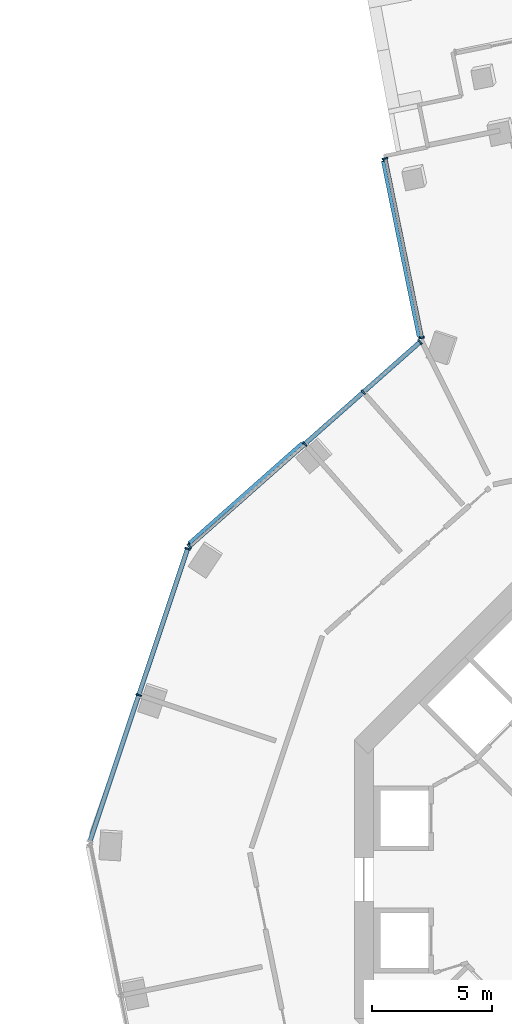
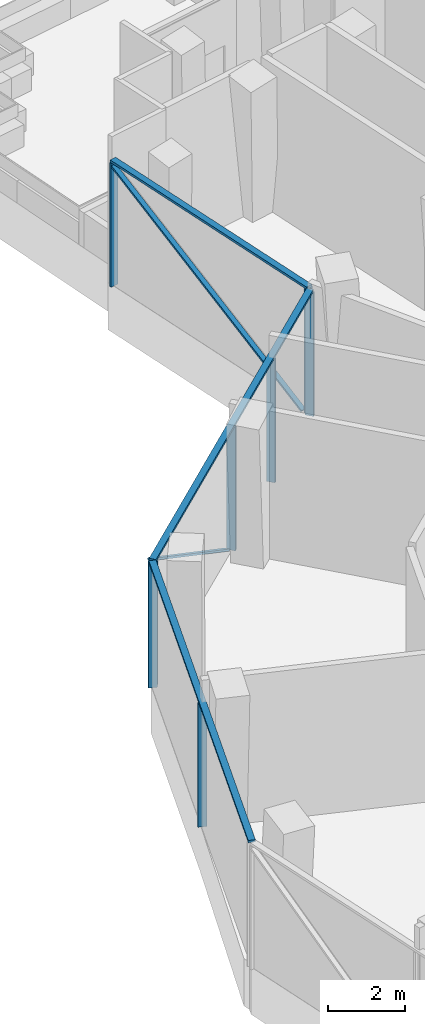
# One storey, part 4 of 20: 13 members, 3 elements without a shape of their own.
"""IFC4 building model written with IfcOpenShell, lengths in metres."""

from ifc_helpers import new_model, si_unit, direction, frame, origin, origin_2d, place, context, subcontext, project, spatial, rectangle, extrude, material, layer, layer_set, material_profile, profile_set, type_object, element, aggregate, save


model = new_model("IFC4")

# Units and contexts
model_context = context("Model", 3, precision=1e-05, world=origin(), true_north=direction((0.0, 1.0)))
body_context = subcontext(model_context, "Body", "Model", "MODEL_VIEW")
ifc_project = project(units=[si_unit("LENGTHUNIT", "METRE"), si_unit("AREAUNIT", "SQUARE_METRE"), si_unit("VOLUMEUNIT", "CUBIC_METRE"), si_unit("PLANEANGLEUNIT", "RADIAN"), si_unit("MASSUNIT", "GRAM", prefix="KILO")], contexts=[model_context])

# Site, building, storey
site_placement = place(None, origin())
site = spatial("IfcSite", under=ifc_project, at=site_placement, CompositionType="ELEMENT")
building_placement = place(site_placement, origin())
building = spatial("IfcBuilding", under=site, at=building_placement, Name="Verdalira Terraces Hotel", CompositionType="ELEMENT")
storey_placement = place(building_placement, frame((0.0, 0.0, 81.0)))
storey = spatial("IfcBuildingStorey", under=building, at=storey_placement, Name="L18", CompositionType="ELEMENT", Elevation=81.0)

# Curtain wall, members
ifc_material_1 = material(Name="Clear glass", Category="glass")
ifc_layer = layer(ifc_material_1, 0.239990234375)
ifc_layer_set = layer_set([ifc_layer], Name="CW5 curtain wall")
curtain_wall_type = type_object("IfcCurtainWallType", Name="CW5 curtain wall", PredefinedType="NOTDEFINED", material=ifc_layer_set)
curtain_wall_1_placement = place(storey_placement, origin())
curtain_wall_1 = element("IfcCurtainWall", 1, at=curtain_wall_1_placement, inside=storey, type_object=curtain_wall_type, Name="CW5 curtain wall L18 edge 10", PredefinedType="NOTDEFINED")
ifc_material_2 = material(Name="Terracotta frame", Category="masonry")
ifc_material_profile_1 = material_profile(ifc_material_2, rectangle(XDim=0.070068, YDim=0.23999, at=origin_2d()), Name="MU 70x240")
ifc_profile_set_1 = profile_set([ifc_material_profile_1], Name="Terracotta frame")
member_type_1 = type_object("IfcMemberType", Name="CW5 mullion 70x240", PredefinedType="MULLION", material=ifc_profile_set_1)
member_1_placement = place(storey_placement, frame((-12.723389, 30.029053, 0.0), z_axis=(0.0, 0.0, 1.0), x_axis=(0.199709981, -0.979855052, 0.0)))
member_1 = element("IfcMember", 2, at=member_1_placement, type_object=member_type_1, Name="CW5 mullion", PredefinedType="MULLION", context=body_context, shape_type="SweptSolid", body=[
    extrude(rectangle(XDim=0.070068, YDim=0.23999, at=origin_2d()), origin(), (0.0, 0.0, 1.0), 3.915039),
])
member_2_placement = place(storey_placement, frame((-11.20166, 22.562744, 0.0), z_axis=(0.0, 0.0, 1.0), x_axis=(0.199709981, -0.979855052, 0.0)))
member_2 = element("IfcMember", 3, at=member_2_placement, type_object=member_type_1, Name="CW5 mullion", PredefinedType="MULLION", context=body_context, shape_type="SweptSolid", body=[
    extrude(rectangle(XDim=0.070068, YDim=0.23999, at=origin_2d()), origin(), (0.0, 0.0, 1.0), 3.915039),
])

curtain_wall_2_placement = place(storey_placement, origin())
curtain_wall_2 = element("IfcCurtainWall", 4, at=curtain_wall_2_placement, inside=storey, type_object=curtain_wall_type, Name="CW5 curtain wall L18 edge 11", PredefinedType="NOTDEFINED")
member_3_placement = place(storey_placement, frame((-11.259033, 22.391357, 0.0), z_axis=(0.0, 0.0, 1.0), x_axis=(-0.748724377, -0.662881443, 0.0)))
member_3 = element("IfcMember", 5, at=member_3_placement, type_object=member_type_1, Name="CW5 mullion", PredefinedType="MULLION", context=body_context, shape_type="SweptSolid", body=[
    extrude(rectangle(XDim=0.070068, YDim=0.23999, at=origin_2d()), origin(), (0.0, 0.0, 1.0), 3.915039),
])
member_4_placement = place(storey_placement, frame((-13.627197, 20.294678, 0.0), z_axis=(0.0, 0.0, 1.0), x_axis=(-0.748724377, -0.662881443, 0.0)))
member_4 = element("IfcMember", 6, at=member_4_placement, type_object=member_type_1, Name="CW5 mullion", PredefinedType="MULLION", context=body_context, shape_type="SweptSolid", body=[
    extrude(rectangle(XDim=0.070068, YDim=0.23999, at=origin_2d()), origin(), (0.0, 0.0, 1.0), 3.915039),
])
member_5_placement = place(storey_placement, frame((-16.060547, 18.140381, 0.0), z_axis=(0.0, 0.0, 1.0), x_axis=(-0.748724377, -0.662881443, 0.0)))
member_5 = element("IfcMember", 7, at=member_5_placement, type_object=member_type_1, Name="CW5 mullion", PredefinedType="MULLION", context=body_context, shape_type="SweptSolid", body=[
    extrude(rectangle(XDim=0.070068, YDim=0.23999, at=origin_2d()), origin(), (0.0, 0.0, 1.0), 3.915039),
])
member_6_placement = place(storey_placement, frame((-20.87085, 13.881348, 0.0), z_axis=(0.0, 0.0, 1.0), x_axis=(-0.748724377, -0.662881443, 0.0)))
member_6 = element("IfcMember", 8, at=member_6_placement, type_object=member_type_1, Name="CW5 mullion", PredefinedType="MULLION", context=body_context, shape_type="SweptSolid", body=[
    extrude(rectangle(XDim=0.070068, YDim=0.23999, at=origin_2d()), origin(), (0.0, 0.0, 1.0), 3.915039),
])

curtain_wall_3_placement = place(storey_placement, origin())
curtain_wall_3 = element("IfcCurtainWall", 9, at=curtain_wall_3_placement, inside=storey, type_object=curtain_wall_type, Name="CW5 curtain wall L18 edge 12", PredefinedType="NOTDEFINED")
member_7_placement = place(storey_placement, frame((-20.942383, 13.773193, 0.0), z_axis=(0.0, 0.0, 1.0), x_axis=(-0.31697361, -0.948434358, 0.0)))
member_7 = element("IfcMember", 10, at=member_7_placement, type_object=member_type_1, Name="CW5 mullion", PredefinedType="MULLION", context=body_context, shape_type="SweptSolid", body=[
    extrude(rectangle(XDim=0.070068, YDim=0.23999, at=origin_2d()), origin(), (0.0, 0.0, 1.0), 3.915039),
])
member_8_placement = place(storey_placement, frame((-22.979004, 7.679688, 0.0), z_axis=(0.0, 0.0, 1.0), x_axis=(-0.31697361, -0.948434358, 0.0)))
member_8 = element("IfcMember", 11, at=member_8_placement, type_object=member_type_1, Name="CW5 mullion", PredefinedType="MULLION", context=body_context, shape_type="SweptSolid", body=[
    extrude(rectangle(XDim=0.070068, YDim=0.23999, at=origin_2d()), origin(), (0.0, 0.0, 1.0), 3.915039),
])

# Member
ifc_material_3 = material(Name="Terracotta frame", Category="masonry")
ifc_material_profile_2 = material_profile(ifc_material_3, rectangle(XDim=0.189941, YDim=0.074951, at=origin_2d()), Name="TR 75x190")
ifc_profile_set_2 = profile_set([ifc_material_profile_2], Name="Terracotta frame")
member_type_2 = type_object("IfcMemberType", Name="CW5 transom 75x190", PredefinedType="USERDEFINED", material=ifc_profile_set_2)
member_9_placement = place(storey_placement, frame((-12.730469, 30.063232, 3.952393), z_axis=(0.199729237, -0.979851127, 0.0), x_axis=(0.979851127, 0.199729237, 0.0)))
member_9 = element("IfcMember", 12, at=member_9_placement, type_object=member_type_2, Name="CW5 transom", ObjectType="TRANSOM", PredefinedType="USERDEFINED", context=body_context, shape_type="SweptSolid", body=[
    extrude(rectangle(XDim=0.189941, YDim=0.074951, at=origin_2d()), origin(), (0.0, 0.0, 1.0), 7.689941),
])

member_10_placement = place(storey_placement, frame((-11.232666, 22.414551, 3.952393), z_axis=(-0.748727907, -0.662877456, 0.0), x_axis=(0.662877456, -0.748727907, 0.0)))
member_10 = element("IfcMember", 13, at=member_10_placement, type_object=member_type_2, Name="CW5 transom", ObjectType="TRANSOM", PredefinedType="USERDEFINED", context=body_context, shape_type="SweptSolid", body=[
    extrude(rectangle(XDim=0.189941, YDim=0.074951, at=origin_2d()), origin(), (0.0, 0.0, 1.0), 12.907959),
])

member_11_placement = place(storey_placement, frame((-20.931396, 13.806396, 3.952393), z_axis=(-0.316975983, -0.948433564, 0.0), x_axis=(0.948433564, -0.316975983, 0.0)))
member_11 = element("IfcMember", 14, at=member_11_placement, type_object=member_type_2, Name="CW5 transom", ObjectType="TRANSOM", PredefinedType="USERDEFINED", context=body_context, shape_type="SweptSolid", body=[
    extrude(rectangle(XDim=0.189941, YDim=0.074951, at=origin_2d()), origin(), (0.0, 0.0, 1.0), 12.919678),
])

aggregate(curtain_wall_3, [member_7, member_8, member_11])

ifc_material_4 = material(Name="Terracotta frame", Category="masonry")
ifc_material_profile_3 = material_profile(ifc_material_4, rectangle(XDim=0.149902, YDim=0.060059, at=origin_2d()), Name="GB 60x150")
ifc_profile_set_3 = profile_set([ifc_material_profile_3], Name="Terracotta frame")
member_type_3 = type_object("IfcMemberType", Name="Diagonal glazing bar 60x150", PredefinedType="USERDEFINED", material=ifc_profile_set_3)
member_12_placement = place(storey_placement, frame((-12.800781, 29.923096, 3.887451), z_axis=(0.177296119, -0.869854535, -0.460346797), x_axis=(0.979853733, 0.199716455, 0.0)))
member_12 = element("IfcMember", 15, at=member_12_placement, type_object=member_type_3, Name="Diagonal glazing bar", ObjectType="GLAZING BAR", PredefinedType="USERDEFINED", context=body_context, shape_type="SweptSolid", body=[
    extrude(rectangle(XDim=0.149902, YDim=0.060059, at=origin_2d()), origin(), (0.0, 0.0, 1.0), 8.384766),
])

aggregate(curtain_wall_1, [member_1, member_2, member_9, member_12])

member_13_placement = place(storey_placement, frame((-16.18335, 18.161133, 0.026611), z_axis=(-0.637461468, -0.564377558, 0.524519637), x_axis=(0.662883077, -0.74872293, 0.0)))
member_13 = element("IfcMember", 16, at=member_13_placement, type_object=member_type_3, Name="Diagonal glazing bar", ObjectType="GLAZING BAR", PredefinedType="USERDEFINED", context=body_context, shape_type="SweptSolid", body=[
    extrude(rectangle(XDim=0.149902, YDim=0.060059, at=origin_2d()), origin(), (0.0, 0.0, 1.0), 7.362549),
])

aggregate(curtain_wall_2, [member_3, member_4, member_5, member_6, member_10, member_13])

save(model, "model.ifc")
